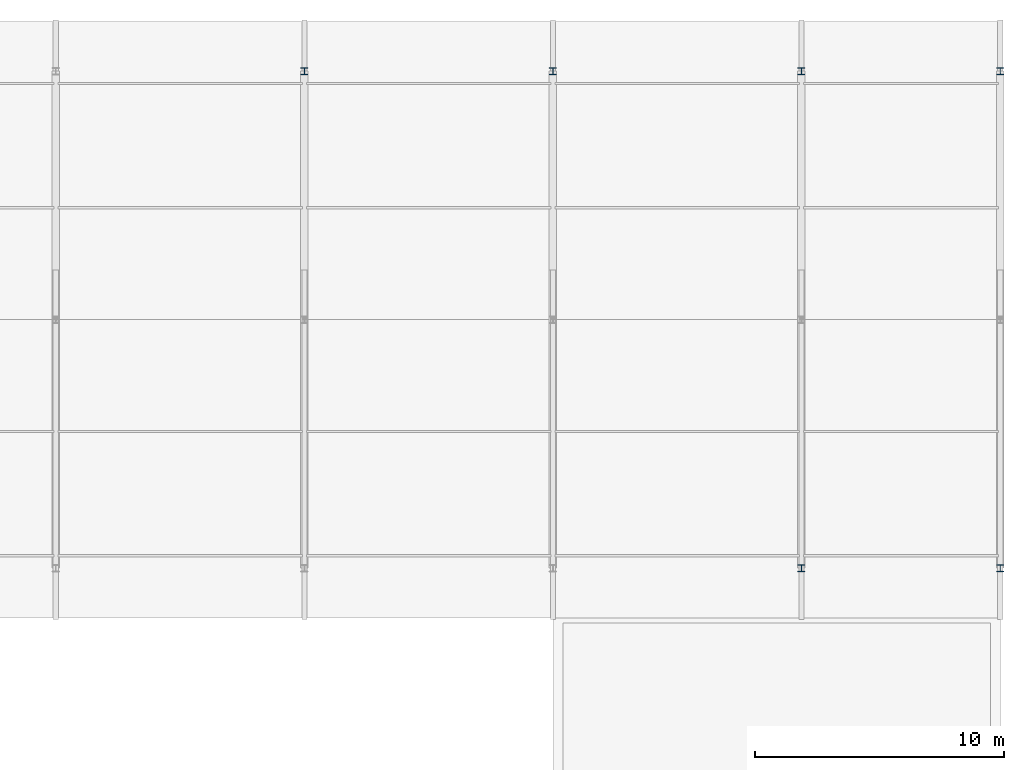
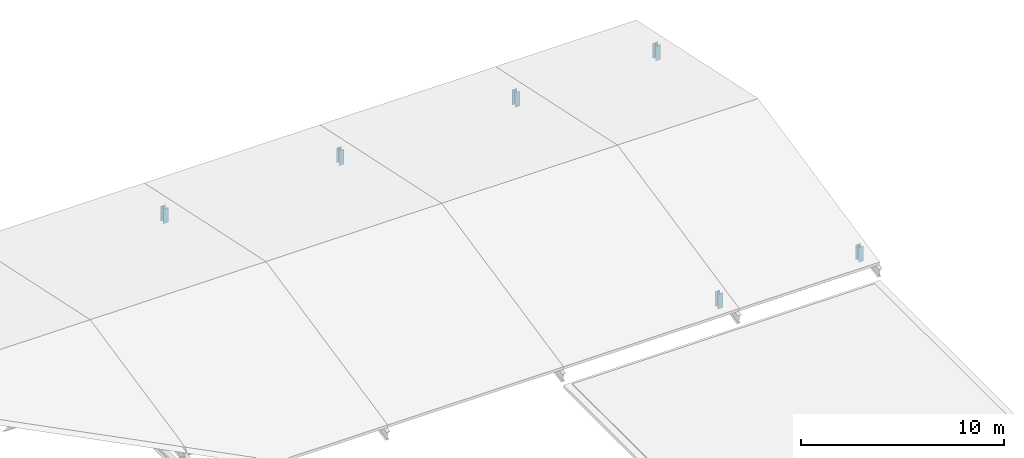
# One storey, part 8 of 10: 6 members.
"""IFC4 building model written with IfcOpenShell, lengths in metres."""

import ifcopenshell
import ifcopenshell.guid

model = None  # the IFC model being written
_history = None  # IfcOwnerHistory: only IFC2X3 demands one
_inside = {}  # id of a spatial element -> (the spatial element, [elements in it])
_under = {}  # id of a project, library or spatial element -> (it, [spatial elements below it])
_declared = {}  # id of a project -> (the project, [libraries it declares])
_typed = {}  # id of a type object -> (the type object, [elements of that type])
_made_of = {}  # id of a material, layer set ... -> (it, [elements and type objects made of it])


def new_model(schema):
    """Start an empty IFC model of exactly this schema.

    Asked for "IFC4X3", IfcOpenShell would pick the latest addendum, in which some entities
    have other attributes; the version numbers below select the first issue.
    IFC2X3 requires an IfcOwnerHistory on every rooted entity: one is made here for all.
    """
    global model, _history
    if schema == "IFC4X3":
        model = ifcopenshell.file(schema_version=(4, 3, 0, 0))
    else:
        model = ifcopenshell.file(schema=schema)
    _inside.clear()
    _under.clear()
    _declared.clear()
    _typed.clear()
    _made_of.clear()
    _history = None
    if model.schema == "IFC2X3":
        org = make("IfcOrganization", Name="unknown")
        user = make(
            "IfcPersonAndOrganization",
            ThePerson=make("IfcPerson", FamilyName="unknown"),
            TheOrganization=org,
        )
        app = make(
            "IfcApplication",
            ApplicationDeveloper=org,
            Version="unknown",
            ApplicationFullName="unknown",
            ApplicationIdentifier="unknown",
        )
        _history = make(
            "IfcOwnerHistory",
            OwningUser=user,
            OwningApplication=app,
            ChangeAction="ADDED",
            CreationDate=0,
        )
    return model


def make(cls, **values):
    """One entity of the class cls with the attributes given. An attribute that is None is left unset."""
    return model.create_entity(
        cls, **{name: value for name, value in values.items() if value is not None}
    )


def rooted(cls, **values):
    """An entity with a GlobalId (a new one), such as an element, a storey or a relation."""
    return make(cls, GlobalId=ifcopenshell.guid.new(), OwnerHistory=_history, **values)


def si_unit(unit_type, name, prefix=None):
    """IfcSIUnit, for example si_unit("LENGTHUNIT", "METRE", prefix="MILLI")."""
    return make("IfcSIUnit", UnitType=unit_type, Prefix=prefix, Name=name)


def assignment(units):
    """IfcUnitAssignment: the units of a project."""
    return None if units is None else make("IfcUnitAssignment", Units=units)


def point(xyz):
    """IfcCartesianPoint."""
    return None if xyz is None else make("IfcCartesianPoint", Coordinates=xyz)


def direction(xyz):
    """IfcDirection."""
    return None if xyz is None else make("IfcDirection", DirectionRatios=xyz)


def frame(location, z_axis=None, x_axis=None):
    """IfcAxis2Placement3D, a coordinate frame: its origin and axes. An axis left out is left unset."""
    return make(
        "IfcAxis2Placement3D",
        Location=point(location),
        Axis=direction(z_axis),
        RefDirection=direction(x_axis),
    )


def frame_2d(location, x_axis=None):
    """IfcAxis2Placement2D, a coordinate frame in the plane: its origin and x axis."""
    return make(
        "IfcAxis2Placement2D", Location=point(location), RefDirection=direction(x_axis)
    )


def origin():
    """The frame at (0, 0, 0) with its axes left unset."""
    return frame((0.0, 0.0, 0.0))


def origin_2d():
    """The frame at (0, 0) in the plane with its x axis left unset."""
    return frame_2d((0.0, 0.0))


def place(relative_to, where):
    """IfcLocalPlacement: puts the frame where relative to a parent placement (None: the world)."""
    return make(
        "IfcLocalPlacement", PlacementRelTo=relative_to, RelativePlacement=where
    )


def context(
    kind, dimensions, precision=None, world=None, true_north=None, identifier=None
):
    """IfcGeometricRepresentationContext, for example the 3D "Model" context."""
    return make(
        "IfcGeometricRepresentationContext",
        ContextIdentifier=identifier,
        ContextType=kind,
        CoordinateSpaceDimension=dimensions,
        Precision=precision,
        WorldCoordinateSystem=world,
        TrueNorth=true_north,
    )


def subcontext(parent, identifier, kind, view, scale=None):
    """IfcGeometricRepresentationSubContext, for example "Body" below "Model"."""
    return make(
        "IfcGeometricRepresentationSubContext",
        ContextIdentifier=identifier,
        ContextType=kind,
        ParentContext=parent,
        TargetScale=scale,
        TargetView=view,
    )


def project(units=None, contexts=None):
    """IfcProject with its units and contexts."""
    return rooted(
        "IfcProject",
        Name="project",
        RepresentationContexts=contexts,
        UnitsInContext=assignment(units),
    )


def spatial(cls, under=None, at=None, **own):
    """A site, building, storey or space (cls), placed at a placement, below another one or the project."""
    s = rooted(cls, ObjectPlacement=at, **own)
    if under is not None:
        _under.setdefault(under.id(), (under, []))[1].append(s)
    return s


def profile(cls, at=None, kind="AREA", **sizes):
    """A parametric profile (cls). Its sizes go by their IFC names, for example OverallWidth=200.0."""
    return make(cls, ProfileType=kind, Position=at, **sizes)


def i_section(**sizes):
    """IfcIShapeProfileDef."""
    return profile("IfcIShapeProfileDef", **sizes)


def extrude(swept, where, along, depth):
    """IfcExtrudedAreaSolid: the profile swept, set in the frame where, extruded along a direction by depth."""
    return make(
        "IfcExtrudedAreaSolid",
        SweptArea=swept,
        Position=where,
        ExtrudedDirection=direction(along),
        Depth=depth,
    )


def shape(context_of_items, identifier, shape_type, items):
    """IfcShapeRepresentation: the items that make up one representation, for example the "Body"."""
    return make(
        "IfcShapeRepresentation",
        ContextOfItems=context_of_items,
        RepresentationIdentifier=identifier,
        RepresentationType=shape_type,
        Items=items,
    )


def material(Name=None, Category=None):
    """IfcMaterial."""
    return make("IfcMaterial", Name=Name, Category=Category)


def material_profile(
    of_material, cross_section, Name=None, Category=None, Priority=None
):
    """IfcMaterialProfile: a cross section and its material."""
    return make(
        "IfcMaterialProfile",
        Name=Name,
        Material=of_material,
        Profile=cross_section,
        Priority=Priority,
        Category=Category,
    )


def profile_set(profiles, Name=None, composite=None):
    """IfcMaterialProfileSet."""
    return make(
        "IfcMaterialProfileSet",
        Name=Name,
        MaterialProfiles=profiles,
        CompositeProfile=composite,
    )


def made_of(thing, what):
    """Note that an element or type object is made of a material, layer set ...; save() writes the relation."""
    if what is not None:
        _made_of.setdefault(what.id(), (what, []))[1].append(thing)
    return thing


def type_object(cls, material=None, **own):
    """A type object (cls), such as IfcWallType, which elements share."""
    return made_of(rooted(cls, **own), material)


def element(
    cls,
    number,
    at=None,
    inside=None,
    cuts=None,
    type_object=None,
    material=None,
    context=None,
    identifier="Body",
    shape_type=None,
    held_by="IfcProductDefinitionShape",
    body=None,
    shapes=None,
    **own,
):
    """One element of the class cls, such as IfcWall. Its Tag is "e" and its number.

    at: its placement. inside: the storey or other place that contains it. cuts: it is an
    opening in that element (IfcRelVoidsElement). A single representation is given by context,
    identifier, shape_type and body (its items); several are given by shapes. held_by: the class
    of the entity that holds the representations. save() writes the other relations.
    """
    e = rooted(cls, Tag="e%d" % number, ObjectPlacement=at, **own)
    if body is not None:
        shapes = [shape(context, identifier, shape_type, body)]
    if shapes is not None:
        e.Representation = make(held_by, Representations=shapes)
    if inside is not None:
        _inside.setdefault(inside.id(), (inside, []))[1].append(e)
    if cuts is not None:
        rooted(
            "IfcRelVoidsElement", RelatingBuildingElement=cuts, RelatedOpeningElement=e
        )
    if type_object is not None:
        _typed.setdefault(type_object.id(), (type_object, []))[1].append(e)
    return made_of(e, material)


def aggregate(whole, parts):
    """IfcRelAggregates: a whole, such as a stair, and the parts it consists of."""
    return rooted("IfcRelAggregates", RelatingObject=whole, RelatedObjects=parts)


def save(model, path):
    """Write the relations noted so far, then the file.

    IfcRelAggregates (storeys below a building ...), IfcRelContainedInSpatialStructure (elements
    in a storey), IfcRelDefinesByType, IfcRelAssociatesMaterial and IfcRelDeclares: one each for
    every whole, place, type object, material and project.
    """
    for whole, parts in _under.values():
        aggregate(whole, parts)
    for where, things in _inside.values():
        rooted(
            "IfcRelContainedInSpatialStructure",
            RelatedElements=things,
            RelatingStructure=where,
        )
    for kind, things in _typed.values():
        rooted("IfcRelDefinesByType", RelatedObjects=things, RelatingType=kind)
    for what, things in _made_of.values():
        rooted("IfcRelAssociatesMaterial", RelatedObjects=things, RelatingMaterial=what)
    for by, libraries in _declared.values():
        rooted("IfcRelDeclares", RelatingContext=by, RelatedDefinitions=libraries)
    model.write(path)


model = new_model("IFC4")

# Units and contexts
model_context = context("Model", 3, precision=1e-05, world=origin(), true_north=direction((0.0, 1.0)))
body_context = subcontext(model_context, "Body", "Model", "MODEL_VIEW")
ifc_project = project(units=[si_unit("LENGTHUNIT", "METRE"), si_unit("AREAUNIT", "SQUARE_METRE"), si_unit("VOLUMEUNIT", "CUBIC_METRE"), si_unit("PLANEANGLEUNIT", "RADIAN"), si_unit("MASSUNIT", "GRAM", prefix="KILO")], contexts=[model_context])

# Site, building, storey
site_placement = place(None, origin())
site = spatial("IfcSite", under=ifc_project, at=site_placement, CompositionType="ELEMENT")
building_placement = place(site_placement, origin())
building = spatial("IfcBuilding", under=site, at=building_placement, Name="Kivolera Central Railway Station", CompositionType="ELEMENT")
storey_placement = place(building_placement, frame((0.0, 0.0, 31.199951171875)))
storey = spatial("IfcBuildingStorey", under=building, at=storey_placement, Name="Roof", CompositionType="ELEMENT", Elevation=31.199951171875)

# Members
ifc_material = material(Name="Steel S355", Category="steel")
ifc_material_profile = material_profile(ifc_material, i_section(OverallWidth=0.280029296875, OverallDepth=0.280029296875, WebThickness=0.010498046875, FlangeThickness=0.01806640625, FilletRadius=0.02392578125, at=origin_2d()), Name="HEB 280")
ifc_profile_set = profile_set([ifc_material_profile], Name="Steel S355")
member_type = type_object("IfcMemberType", Name="MEM-RAF-HEB280", PredefinedType="STRUT", material=ifc_profile_set)
for number, where, z_axis, x_axis, name in (
    (1, (168.0, 134.0, -0.02001953125), (0.0, 0.0, 1.0), (1.0, 0.0, 0.0), "Roof Monsoon Truss Post 6-M"),
    (2, (178.0, 134.0, -0.02001953125), (0.0, 0.0, 1.0), (1.0, 0.0, 0.0), "Roof Monsoon Truss Post 7-M"),
    (3, (188.0, 114.0, -0.02001953125), (0.0, 0.0, 1.0), (1.0, 0.0, 0.0), "Roof Monsoon Truss Post 8-K"),
    (4, (188.0, 134.0, -0.02001953125), (0.0, 0.0, 1.0), (1.0, 0.0, 0.0), "Roof Monsoon Truss Post 8-M"),
    (5, (196.0, 114.0, -0.02001953125), (0.0, 0.0, 1.0), (1.0, 0.0, 0.0), "Roof Monsoon Truss Post 9-K"),
    (6, (196.0, 134.0, -0.02001953125), (0.0, 0.0, 1.0), (1.0, 0.0, 0.0), "Roof Monsoon Truss Post 9-M"),
):
    element("IfcMember", number, at=place(storey_placement, frame(where, z_axis=z_axis, x_axis=x_axis)), inside=storey, type_object=member_type, Name=name, PredefinedType="STRUT", context=body_context, shape_type="SweptSolid", body=[
        extrude(i_section(OverallWidth=0.280029296875, OverallDepth=0.280029296875, WebThickness=0.010498046875, FlangeThickness=0.01806640625, FilletRadius=0.02392578125, at=origin_2d()), origin(), (0.0, 0.0, 1.0), 0.900146484375),
    ])

save(model, "model.ifc")
